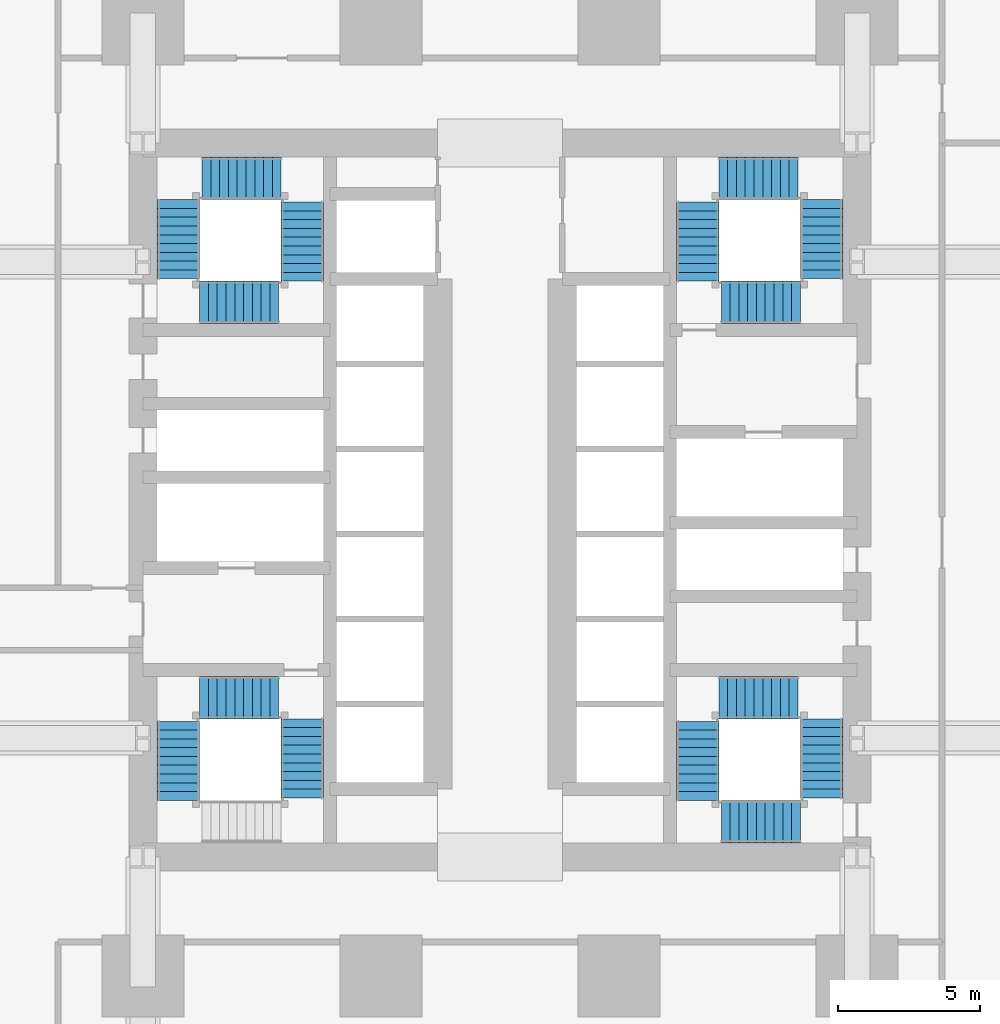
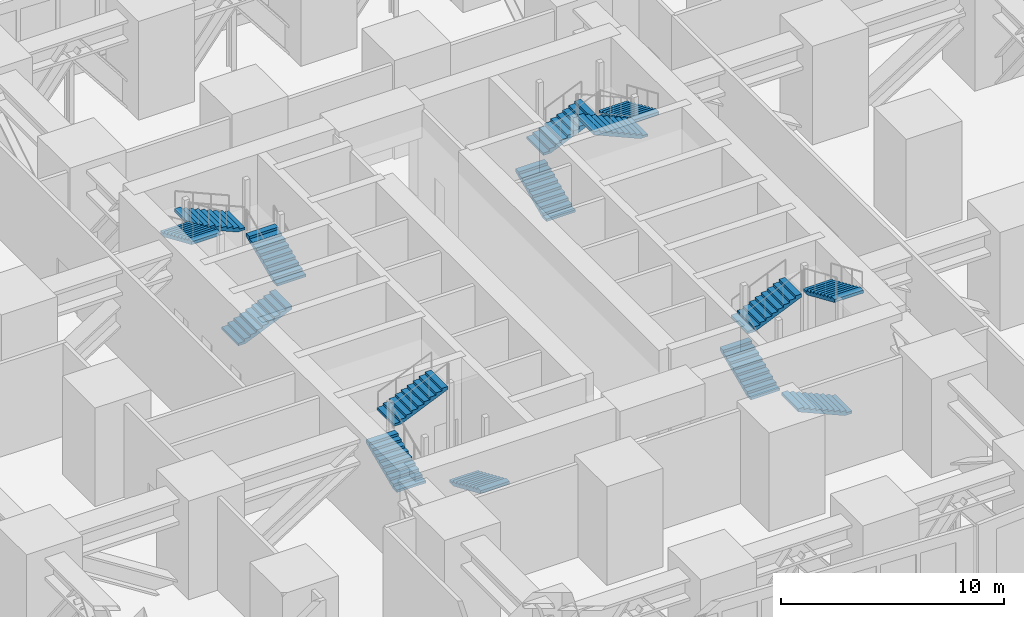
# One storey, part 12 of 16: 15 stair flights, 4 elements without a shape of their own.
"""IFC4 building model written with IfcOpenShell, lengths in metres."""

from ifc_helpers import new_model, si_unit, direction, frame, origin, place, context, subcontext, project, spatial, polyline, outline, extrude, material, type_object, element, aggregate, save


model = new_model("IFC4")

# Units and contexts
model_context = context("Model", 3, precision=1e-05, world=origin(), true_north=direction((0.0, 1.0)))
body_context = subcontext(model_context, "Body", "Model", "MODEL_VIEW")
ifc_project = project(units=[si_unit("LENGTHUNIT", "METRE"), si_unit("AREAUNIT", "SQUARE_METRE"), si_unit("VOLUMEUNIT", "CUBIC_METRE"), si_unit("PLANEANGLEUNIT", "RADIAN"), si_unit("MASSUNIT", "GRAM", prefix="KILO")], contexts=[model_context])

# Site, building, storey
site_placement = place(None, origin())
site = spatial("IfcSite", under=ifc_project, at=site_placement, CompositionType="ELEMENT")
building_placement = place(site_placement, origin())
building = spatial("IfcBuilding", under=site, at=building_placement, Name="Rekha Terrace Tower", CompositionType="ELEMENT")
storey_placement = place(building_placement, frame((0.0, 0.0, 85.39990234375)))
storey = spatial("IfcBuildingStorey", under=building, at=storey_placement, Name="L21", CompositionType="ELEMENT", Elevation=85.39990234375)

# Stair, stair flights
ifc_material = material(Name="Concrete M40", Category="concrete")
stair_type = type_object("IfcStairType", Name="ST40 stair, 40 risers of 135, going 310, 1500 wide flights, 4 flights", PredefinedType="QUARTER_TURN_STAIR", material=ifc_material)
stair_1_placement = place(storey_placement, origin())
stair_1 = element("IfcStair", 1, at=stair_1_placement, inside=storey, type_object=stair_type, Name="Stair ST1 L21 to L22", PredefinedType="QUARTER_TURN_STAIR")
stair_flight_type = type_object("IfcStairFlightType", Name="SF10 stair flight, 10 risers of 135, going 310, 1500 wide", PredefinedType="STRAIGHT", material=ifc_material)
stair_flight_1_placement = place(storey_placement, frame((30.824951171875, 25.875, 0.0), z_axis=(0.0, 0.0, 1.0), x_axis=(0.0, -1.0, 0.0)))
stair_flight_1 = element("IfcStairFlight", 2, at=stair_flight_1_placement, type_object=stair_flight_type, Name="ST1 flight 1", NumberOfRisers=10, NumberOfTreads=9, PredefinedType="STRAIGHT", RiserHeight=0.135, TreadLength=0.31, context=body_context, shape_type="SweptSolid", body=[
    extrude(outline(polyline([(0.0, 0.0), (0.0, 0.135009765625), (0.31005859375, 0.135009765625), (0.31005859375, 0.27001953125), (0.6201171875, 0.27001953125), (0.6201171875, 0.405029296875), (0.929931640625, 0.405029296875), (0.929931640625, 0.5400390625), (1.239990234375, 0.5400390625), (1.239990234375, 0.675048828125), (1.550048828125, 0.675048828125), (1.550048828125, 0.81005859375), (1.860107421875, 0.81005859375), (1.860107421875, 0.945068359375), (2.169921875, 0.945068359375), (2.169921875, 1.080078125), (2.47998046875, 1.080078125), (2.47998046875, 1.215087890625), (2.7900390625, 1.215087890625), (2.7900390625, 1.35009765625), (2.7900390625, 1.051513671875), (0.37548828125, 0.0), (0.0, 0.0)])), frame((0.0, 0.75, 0.0), z_axis=(0.0, -1.0, 0.0), x_axis=(1.0, 0.0, 0.0)), (0.0, 0.0, 1.0), 1.5),
])
stair_flight_2_placement = place(storey_placement, frame((26.449951171875, 23.0, 2.7001953125), z_axis=(0.0, 0.0, 1.0), x_axis=(0.0, 1.0, 0.0)))
stair_flight_2 = element("IfcStairFlight", 3, at=stair_flight_2_placement, type_object=stair_flight_type, Name="ST1 flight 3", NumberOfRisers=10, NumberOfTreads=9, PredefinedType="STRAIGHT", RiserHeight=0.135, TreadLength=0.31, context=body_context, shape_type="SweptSolid", body=[
    extrude(outline(polyline([(0.0, 0.0), (0.0, 0.135009765625), (0.31005859375, 0.135009765625), (0.31005859375, 0.27001953125), (0.6201171875, 0.27001953125), (0.6201171875, 0.405029296875), (0.929931640625, 0.405029296875), (0.929931640625, 0.5400390625), (1.239990234375, 0.5400390625), (1.239990234375, 0.675048828125), (1.550048828125, 0.675048828125), (1.550048828125, 0.81005859375), (1.860107421875, 0.81005859375), (1.860107421875, 0.945068359375), (2.169921875, 0.945068359375), (2.169921875, 1.080078125), (2.47998046875, 1.080078125), (2.47998046875, 1.215087890625), (2.7900390625, 1.215087890625), (2.7900390625, 1.35009765625), (2.7900390625, 1.051513671875), (0.37548828125, 0.0), (0.0, 0.0)])), frame((0.0, 0.75, 0.0), z_axis=(0.0, -1.0, 0.0), x_axis=(1.0, 0.0, 0.0)), (0.0, 0.0, 1.0), 1.5),
])
stair_flight_3_placement = place(storey_placement, frame((27.199951171875, 26.625, 4.050048828125), z_axis=(0.0, 0.0, 1.0), x_axis=(1.0, 0.0, 0.0)))
stair_flight_3 = element("IfcStairFlight", 4, at=stair_flight_3_placement, type_object=stair_flight_type, Name="ST1 flight 4", NumberOfRisers=10, NumberOfTreads=9, PredefinedType="STRAIGHT", RiserHeight=0.135, TreadLength=0.31, context=body_context, shape_type="SweptSolid", body=[
    extrude(outline(polyline([(0.0, 0.0), (0.0, 0.135009765625), (0.31005859375, 0.135009765625), (0.31005859375, 0.27001953125), (0.6201171875, 0.27001953125), (0.6201171875, 0.405029296875), (0.929931640625, 0.405029296875), (0.929931640625, 0.5400390625), (1.239990234375, 0.5400390625), (1.239990234375, 0.675048828125), (1.550048828125, 0.675048828125), (1.550048828125, 0.81005859375), (1.860107421875, 0.81005859375), (1.860107421875, 0.945068359375), (2.169921875, 0.945068359375), (2.169921875, 1.080078125), (2.47998046875, 1.080078125), (2.47998046875, 1.215087890625), (2.7900390625, 1.215087890625), (2.7900390625, 1.35009765625), (2.7900390625, 1.051513671875), (0.37548828125, 0.0), (0.0, 0.0)])), frame((0.0, 0.75, 0.0), z_axis=(0.0, -1.0, 0.0), x_axis=(1.0, 0.0, 0.0)), (0.0, 0.0, 1.0), 1.5),
])
aggregate(stair_1, [stair_flight_1, stair_flight_2, stair_flight_3])

stair_2_placement = place(storey_placement, origin())
stair_2 = element("IfcStair", 5, at=stair_2_placement, inside=storey, type_object=stair_type, Name="Stair ST2 L21 to L22", PredefinedType="QUARTER_TURN_STAIR")
stair_flight_4_placement = place(storey_placement, frame((44.77490234375, 41.324951171875, 0.0), z_axis=(0.0, 0.0, 1.0), x_axis=(0.0, 1.0, 0.0)))
stair_flight_4 = element("IfcStairFlight", 6, at=stair_flight_4_placement, type_object=stair_flight_type, Name="ST2 flight 1", NumberOfRisers=10, NumberOfTreads=9, PredefinedType="STRAIGHT", RiserHeight=0.135, TreadLength=0.31, context=body_context, shape_type="SweptSolid", body=[
    extrude(outline(polyline([(0.0, 0.0), (0.0, 0.135009765625), (0.31005859375, 0.135009765625), (0.31005859375, 0.27001953125), (0.6201171875, 0.27001953125), (0.6201171875, 0.405029296875), (0.929931640625, 0.405029296875), (0.929931640625, 0.5400390625), (1.239990234375, 0.5400390625), (1.239990234375, 0.675048828125), (1.550048828125, 0.675048828125), (1.550048828125, 0.81005859375), (1.860107421875, 0.81005859375), (1.860107421875, 0.945068359375), (2.169921875, 0.945068359375), (2.169921875, 1.080078125), (2.47998046875, 1.080078125), (2.47998046875, 1.215087890625), (2.7900390625, 1.215087890625), (2.7900390625, 1.35009765625), (2.7900390625, 1.051513671875), (0.37548828125, 0.0), (0.0, 0.0)])), frame((0.0, 0.75, 0.0), z_axis=(0.0, -1.0, 0.0), x_axis=(1.0, 0.0, 0.0)), (0.0, 0.0, 1.0), 1.5),
])
stair_flight_5_placement = place(storey_placement, frame((45.52490234375, 44.949951171875, 1.35009765625), z_axis=(0.0, 0.0, 1.0), x_axis=(1.0, 0.0, 0.0)))
stair_flight_5 = element("IfcStairFlight", 7, at=stair_flight_5_placement, type_object=stair_flight_type, Name="ST2 flight 2", NumberOfRisers=10, NumberOfTreads=9, PredefinedType="STRAIGHT", RiserHeight=0.135, TreadLength=0.31, context=body_context, shape_type="SweptSolid", body=[
    extrude(outline(polyline([(0.0, 0.0), (0.0, 0.135009765625), (0.31005859375, 0.135009765625), (0.31005859375, 0.27001953125), (0.6201171875, 0.27001953125), (0.6201171875, 0.405029296875), (0.929931640625, 0.405029296875), (0.929931640625, 0.5400390625), (1.239990234375, 0.5400390625), (1.239990234375, 0.675048828125), (1.550048828125, 0.675048828125), (1.550048828125, 0.81005859375), (1.860107421875, 0.81005859375), (1.860107421875, 0.945068359375), (2.169921875, 0.945068359375), (2.169921875, 1.080078125), (2.47998046875, 1.080078125), (2.47998046875, 1.215087890625), (2.7900390625, 1.215087890625), (2.7900390625, 1.35009765625), (2.7900390625, 1.051513671875), (0.37548828125, 0.0), (0.0, 0.0)])), frame((0.0, 0.75, 0.0), z_axis=(0.0, -1.0, 0.0), x_axis=(1.0, 0.0, 0.0)), (0.0, 0.0, 1.0), 1.5),
])
stair_flight_6_placement = place(storey_placement, frame((49.14990234375, 44.199951171875, 2.7001953125), z_axis=(0.0, 0.0, 1.0), x_axis=(0.0, -1.0, 0.0)))
stair_flight_6 = element("IfcStairFlight", 8, at=stair_flight_6_placement, type_object=stair_flight_type, Name="ST2 flight 3", NumberOfRisers=10, NumberOfTreads=9, PredefinedType="STRAIGHT", RiserHeight=0.135, TreadLength=0.31, context=body_context, shape_type="SweptSolid", body=[
    extrude(outline(polyline([(0.0, 0.0), (0.0, 0.135009765625), (0.31005859375, 0.135009765625), (0.31005859375, 0.27001953125), (0.6201171875, 0.27001953125), (0.6201171875, 0.405029296875), (0.929931640625, 0.405029296875), (0.929931640625, 0.5400390625), (1.239990234375, 0.5400390625), (1.239990234375, 0.675048828125), (1.550048828125, 0.675048828125), (1.550048828125, 0.81005859375), (1.860107421875, 0.81005859375), (1.860107421875, 0.945068359375), (2.169921875, 0.945068359375), (2.169921875, 1.080078125), (2.47998046875, 1.080078125), (2.47998046875, 1.215087890625), (2.7900390625, 1.215087890625), (2.7900390625, 1.35009765625), (2.7900390625, 1.051513671875), (0.37548828125, 0.0), (0.0, 0.0)])), frame((0.0, 0.75, 0.0), z_axis=(0.0, -1.0, 0.0), x_axis=(1.0, 0.0, 0.0)), (0.0, 0.0, 1.0), 1.5),
])
stair_flight_7_placement = place(storey_placement, frame((48.39990234375, 40.574951171875, 4.050048828125), z_axis=(0.0, 0.0, 1.0), x_axis=(-1.0, 0.0, 0.0)))
stair_flight_7 = element("IfcStairFlight", 9, at=stair_flight_7_placement, type_object=stair_flight_type, Name="ST2 flight 4", NumberOfRisers=10, NumberOfTreads=9, PredefinedType="STRAIGHT", RiserHeight=0.135, TreadLength=0.31, context=body_context, shape_type="SweptSolid", body=[
    extrude(outline(polyline([(0.0, 0.0), (0.0, 0.135009765625), (0.31005859375, 0.135009765625), (0.31005859375, 0.27001953125), (0.6201171875, 0.27001953125), (0.6201171875, 0.405029296875), (0.929931640625, 0.405029296875), (0.929931640625, 0.5400390625), (1.239990234375, 0.5400390625), (1.239990234375, 0.675048828125), (1.550048828125, 0.675048828125), (1.550048828125, 0.81005859375), (1.860107421875, 0.81005859375), (1.860107421875, 0.945068359375), (2.169921875, 0.945068359375), (2.169921875, 1.080078125), (2.47998046875, 1.080078125), (2.47998046875, 1.215087890625), (2.7900390625, 1.215087890625), (2.7900390625, 1.35009765625), (2.7900390625, 1.051513671875), (0.37548828125, 0.0), (0.0, 0.0)])), frame((0.0, 0.75, 0.0), z_axis=(0.0, -1.0, 0.0), x_axis=(1.0, 0.0, 0.0)), (0.0, 0.0, 1.0), 1.5),
])
aggregate(stair_2, [stair_flight_4, stair_flight_5, stair_flight_6, stair_flight_7])

stair_3_placement = place(storey_placement, origin())
stair_3 = element("IfcStair", 10, at=stair_3_placement, inside=storey, type_object=stair_type, Name="Stair ST3 L21 to L22", PredefinedType="QUARTER_TURN_STAIR")
stair_flight_8_placement = place(storey_placement, frame((48.39990234375, 22.25, 0.0), z_axis=(0.0, 0.0, 1.0), x_axis=(-1.0, 0.0, 0.0)))
stair_flight_8 = element("IfcStairFlight", 11, at=stair_flight_8_placement, type_object=stair_flight_type, Name="ST3 flight 1", NumberOfRisers=10, NumberOfTreads=9, PredefinedType="STRAIGHT", RiserHeight=0.135, TreadLength=0.31, context=body_context, shape_type="SweptSolid", body=[
    extrude(outline(polyline([(0.0, 0.0), (0.0, 0.135009765625), (0.31005859375, 0.135009765625), (0.31005859375, 0.27001953125), (0.6201171875, 0.27001953125), (0.6201171875, 0.405029296875), (0.929931640625, 0.405029296875), (0.929931640625, 0.5400390625), (1.239990234375, 0.5400390625), (1.239990234375, 0.675048828125), (1.550048828125, 0.675048828125), (1.550048828125, 0.81005859375), (1.860107421875, 0.81005859375), (1.860107421875, 0.945068359375), (2.169921875, 0.945068359375), (2.169921875, 1.080078125), (2.47998046875, 1.080078125), (2.47998046875, 1.215087890625), (2.7900390625, 1.215087890625), (2.7900390625, 1.35009765625), (2.7900390625, 1.051513671875), (0.37548828125, 0.0), (0.0, 0.0)])), frame((0.0, 0.75, 0.0), z_axis=(0.0, -1.0, 0.0), x_axis=(1.0, 0.0, 0.0)), (0.0, 0.0, 1.0), 1.5),
])
stair_flight_9_placement = place(storey_placement, frame((44.77490234375, 23.0, 1.35009765625), z_axis=(0.0, 0.0, 1.0), x_axis=(0.0, 1.0, 0.0)))
stair_flight_9 = element("IfcStairFlight", 12, at=stair_flight_9_placement, type_object=stair_flight_type, Name="ST3 flight 2", NumberOfRisers=10, NumberOfTreads=9, PredefinedType="STRAIGHT", RiserHeight=0.135, TreadLength=0.31, context=body_context, shape_type="SweptSolid", body=[
    extrude(outline(polyline([(0.0, 0.0), (0.0, 0.135009765625), (0.31005859375, 0.135009765625), (0.31005859375, 0.27001953125), (0.6201171875, 0.27001953125), (0.6201171875, 0.405029296875), (0.929931640625, 0.405029296875), (0.929931640625, 0.5400390625), (1.239990234375, 0.5400390625), (1.239990234375, 0.675048828125), (1.550048828125, 0.675048828125), (1.550048828125, 0.81005859375), (1.860107421875, 0.81005859375), (1.860107421875, 0.945068359375), (2.169921875, 0.945068359375), (2.169921875, 1.080078125), (2.47998046875, 1.080078125), (2.47998046875, 1.215087890625), (2.7900390625, 1.215087890625), (2.7900390625, 1.35009765625), (2.7900390625, 1.051513671875), (0.37548828125, 0.0), (0.0, 0.0)])), frame((0.0, 0.75, 0.0), z_axis=(0.0, -1.0, 0.0), x_axis=(1.0, 0.0, 0.0)), (0.0, 0.0, 1.0), 1.5),
])
stair_flight_10_placement = place(storey_placement, frame((45.52490234375, 26.625, 2.7001953125), z_axis=(0.0, 0.0, 1.0), x_axis=(1.0, 0.0, 0.0)))
stair_flight_10 = element("IfcStairFlight", 13, at=stair_flight_10_placement, type_object=stair_flight_type, Name="ST3 flight 3", NumberOfRisers=10, NumberOfTreads=9, PredefinedType="STRAIGHT", RiserHeight=0.135, TreadLength=0.31, context=body_context, shape_type="SweptSolid", body=[
    extrude(outline(polyline([(0.0, 0.0), (0.0, 0.135009765625), (0.31005859375, 0.135009765625), (0.31005859375, 0.27001953125), (0.6201171875, 0.27001953125), (0.6201171875, 0.405029296875), (0.929931640625, 0.405029296875), (0.929931640625, 0.5400390625), (1.239990234375, 0.5400390625), (1.239990234375, 0.675048828125), (1.550048828125, 0.675048828125), (1.550048828125, 0.81005859375), (1.860107421875, 0.81005859375), (1.860107421875, 0.945068359375), (2.169921875, 0.945068359375), (2.169921875, 1.080078125), (2.47998046875, 1.080078125), (2.47998046875, 1.215087890625), (2.7900390625, 1.215087890625), (2.7900390625, 1.35009765625), (2.7900390625, 1.051513671875), (0.37548828125, 0.0), (0.0, 0.0)])), frame((0.0, 0.75, 0.0), z_axis=(0.0, -1.0, 0.0), x_axis=(1.0, 0.0, 0.0)), (0.0, 0.0, 1.0), 1.5),
])
stair_flight_11_placement = place(storey_placement, frame((49.14990234375, 25.875, 4.050048828125), z_axis=(0.0, 0.0, 1.0), x_axis=(0.0, -1.0, 0.0)))
stair_flight_11 = element("IfcStairFlight", 14, at=stair_flight_11_placement, type_object=stair_flight_type, Name="ST3 flight 4", NumberOfRisers=10, NumberOfTreads=9, PredefinedType="STRAIGHT", RiserHeight=0.135, TreadLength=0.31, context=body_context, shape_type="SweptSolid", body=[
    extrude(outline(polyline([(0.0, 0.0), (0.0, 0.135009765625), (0.31005859375, 0.135009765625), (0.31005859375, 0.27001953125), (0.6201171875, 0.27001953125), (0.6201171875, 0.405029296875), (0.929931640625, 0.405029296875), (0.929931640625, 0.5400390625), (1.239990234375, 0.5400390625), (1.239990234375, 0.675048828125), (1.550048828125, 0.675048828125), (1.550048828125, 0.81005859375), (1.860107421875, 0.81005859375), (1.860107421875, 0.945068359375), (2.169921875, 0.945068359375), (2.169921875, 1.080078125), (2.47998046875, 1.080078125), (2.47998046875, 1.215087890625), (2.7900390625, 1.215087890625), (2.7900390625, 1.35009765625), (2.7900390625, 1.051513671875), (0.37548828125, 0.0), (0.0, 0.0)])), frame((0.0, 0.75, 0.0), z_axis=(0.0, -1.0, 0.0), x_axis=(1.0, 0.0, 0.0)), (0.0, 0.0, 1.0), 1.5),
])
aggregate(stair_3, [stair_flight_8, stair_flight_9, stair_flight_10, stair_flight_11])

stair_4_placement = place(storey_placement, origin())
stair_4 = element("IfcStair", 15, at=stair_4_placement, inside=storey, type_object=stair_type, Name="Stair ST4 L21 to L22", PredefinedType="QUARTER_TURN_STAIR")
stair_flight_12_placement = place(storey_placement, frame((27.199951171875, 40.574951171875, 0.0), z_axis=(0.0, 0.0, 1.0), x_axis=(1.0, 0.0, 0.0)))
stair_flight_12 = element("IfcStairFlight", 16, at=stair_flight_12_placement, type_object=stair_flight_type, Name="ST4 flight 1", NumberOfRisers=10, NumberOfTreads=9, PredefinedType="STRAIGHT", RiserHeight=0.135, TreadLength=0.31, context=body_context, shape_type="SweptSolid", body=[
    extrude(outline(polyline([(0.0, 0.0), (0.0, 0.135009765625), (0.31005859375, 0.135009765625), (0.31005859375, 0.27001953125), (0.6201171875, 0.27001953125), (0.6201171875, 0.405029296875), (0.929931640625, 0.405029296875), (0.929931640625, 0.5400390625), (1.239990234375, 0.5400390625), (1.239990234375, 0.675048828125), (1.550048828125, 0.675048828125), (1.550048828125, 0.81005859375), (1.860107421875, 0.81005859375), (1.860107421875, 0.945068359375), (2.169921875, 0.945068359375), (2.169921875, 1.080078125), (2.47998046875, 1.080078125), (2.47998046875, 1.215087890625), (2.7900390625, 1.215087890625), (2.7900390625, 1.35009765625), (2.7900390625, 1.051513671875), (0.37548828125, 0.0), (0.0, 0.0)])), frame((0.0, 0.75, 0.0), z_axis=(0.0, -1.0, 0.0), x_axis=(1.0, 0.0, 0.0)), (0.0, 0.0, 1.0), 1.5),
])
stair_flight_13_placement = place(storey_placement, frame((30.824951171875, 41.324951171875, 1.35009765625), z_axis=(0.0, 0.0, 1.0), x_axis=(0.0, 1.0, 0.0)))
stair_flight_13 = element("IfcStairFlight", 17, at=stair_flight_13_placement, type_object=stair_flight_type, Name="ST4 flight 2", NumberOfRisers=10, NumberOfTreads=9, PredefinedType="STRAIGHT", RiserHeight=0.135, TreadLength=0.31, context=body_context, shape_type="SweptSolid", body=[
    extrude(outline(polyline([(0.0, 0.0), (0.0, 0.135009765625), (0.31005859375, 0.135009765625), (0.31005859375, 0.27001953125), (0.6201171875, 0.27001953125), (0.6201171875, 0.405029296875), (0.929931640625, 0.405029296875), (0.929931640625, 0.5400390625), (1.239990234375, 0.5400390625), (1.239990234375, 0.675048828125), (1.550048828125, 0.675048828125), (1.550048828125, 0.81005859375), (1.860107421875, 0.81005859375), (1.860107421875, 0.945068359375), (2.169921875, 0.945068359375), (2.169921875, 1.080078125), (2.47998046875, 1.080078125), (2.47998046875, 1.215087890625), (2.7900390625, 1.215087890625), (2.7900390625, 1.35009765625), (2.7900390625, 1.051513671875), (0.37548828125, 0.0), (0.0, 0.0)])), frame((0.0, 0.75, 0.0), z_axis=(0.0, -1.0, 0.0), x_axis=(1.0, 0.0, 0.0)), (0.0, 0.0, 1.0), 1.5),
])
stair_flight_14_placement = place(storey_placement, frame((30.074951171875, 44.949951171875, 2.7001953125), z_axis=(0.0, 0.0, 1.0), x_axis=(-1.0, 0.0, 0.0)))
stair_flight_14 = element("IfcStairFlight", 18, at=stair_flight_14_placement, type_object=stair_flight_type, Name="ST4 flight 3", NumberOfRisers=10, NumberOfTreads=9, PredefinedType="STRAIGHT", RiserHeight=0.135, TreadLength=0.31, context=body_context, shape_type="SweptSolid", body=[
    extrude(outline(polyline([(0.0, 0.0), (0.0, 0.135009765625), (0.31005859375, 0.135009765625), (0.31005859375, 0.27001953125), (0.6201171875, 0.27001953125), (0.6201171875, 0.405029296875), (0.929931640625, 0.405029296875), (0.929931640625, 0.5400390625), (1.239990234375, 0.5400390625), (1.239990234375, 0.675048828125), (1.550048828125, 0.675048828125), (1.550048828125, 0.81005859375), (1.860107421875, 0.81005859375), (1.860107421875, 0.945068359375), (2.169921875, 0.945068359375), (2.169921875, 1.080078125), (2.47998046875, 1.080078125), (2.47998046875, 1.215087890625), (2.7900390625, 1.215087890625), (2.7900390625, 1.35009765625), (2.7900390625, 1.051513671875), (0.37548828125, 0.0), (0.0, 0.0)])), frame((0.0, 0.75, 0.0), z_axis=(0.0, -1.0, 0.0), x_axis=(1.0, 0.0, 0.0)), (0.0, 0.0, 1.0), 1.5),
])
stair_flight_15_placement = place(storey_placement, frame((26.449951171875, 44.199951171875, 4.050048828125), z_axis=(0.0, 0.0, 1.0), x_axis=(0.0, -1.0, 0.0)))
stair_flight_15 = element("IfcStairFlight", 19, at=stair_flight_15_placement, type_object=stair_flight_type, Name="ST4 flight 4", NumberOfRisers=10, NumberOfTreads=9, PredefinedType="STRAIGHT", RiserHeight=0.135, TreadLength=0.31, context=body_context, shape_type="SweptSolid", body=[
    extrude(outline(polyline([(0.0, 0.0), (0.0, 0.135009765625), (0.31005859375, 0.135009765625), (0.31005859375, 0.27001953125), (0.6201171875, 0.27001953125), (0.6201171875, 0.405029296875), (0.929931640625, 0.405029296875), (0.929931640625, 0.5400390625), (1.239990234375, 0.5400390625), (1.239990234375, 0.675048828125), (1.550048828125, 0.675048828125), (1.550048828125, 0.81005859375), (1.860107421875, 0.81005859375), (1.860107421875, 0.945068359375), (2.169921875, 0.945068359375), (2.169921875, 1.080078125), (2.47998046875, 1.080078125), (2.47998046875, 1.215087890625), (2.7900390625, 1.215087890625), (2.7900390625, 1.35009765625), (2.7900390625, 1.051513671875), (0.37548828125, 0.0), (0.0, 0.0)])), frame((0.0, 0.75, 0.0), z_axis=(0.0, -1.0, 0.0), x_axis=(1.0, 0.0, 0.0)), (0.0, 0.0, 1.0), 1.5),
])
aggregate(stair_4, [stair_flight_12, stair_flight_13, stair_flight_14, stair_flight_15])

save(model, "model.ifc")
